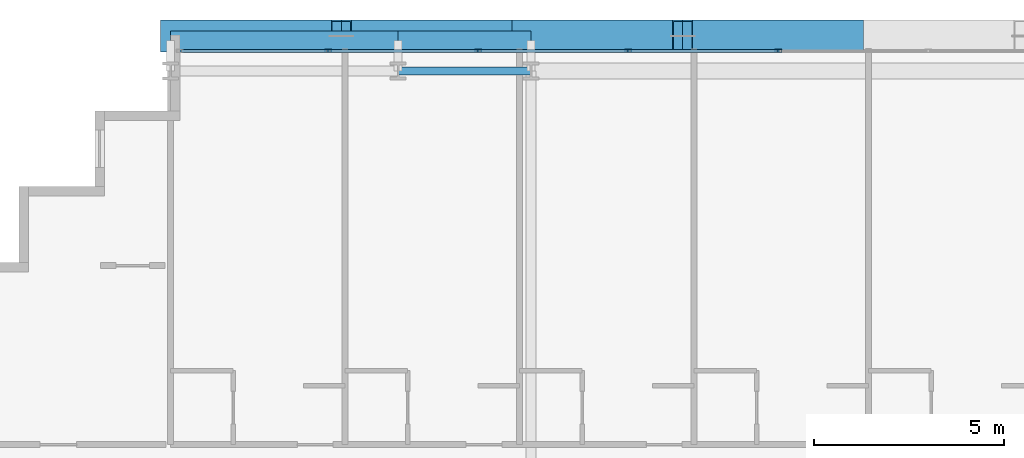
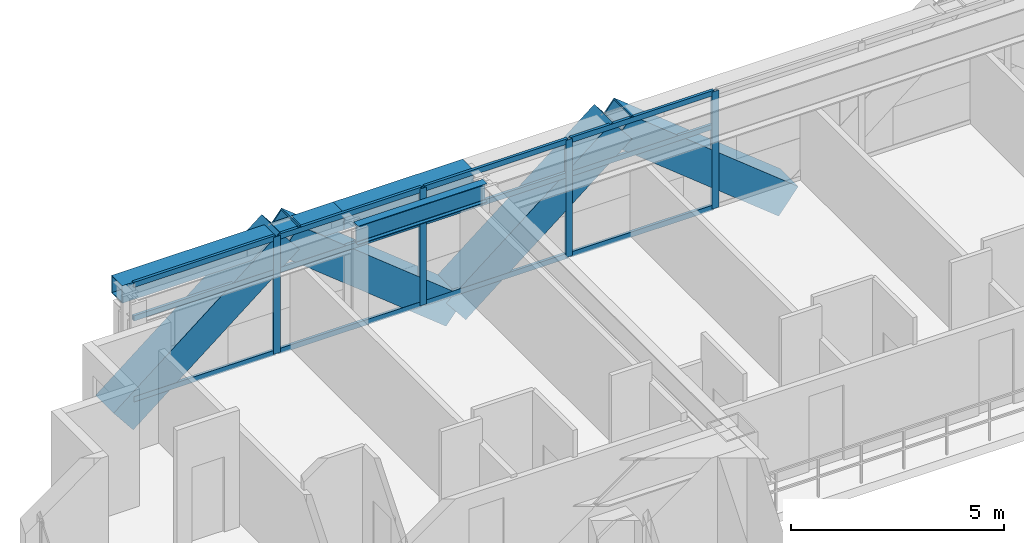
# One storey, part 18 of 36: 20 members, 3 beams, 1 element without a shape of its own.
"""IFC4 building model written with IfcOpenShell, lengths in metres."""

from ifc_helpers import new_model, si_unit, direction, frame, origin, origin_2d, place, context, subcontext, project, spatial, hollow_rectangle, i_section, extrude, source, transform, mapped, material, layer, layer_set, material_profile, profile_set, type_object, element, aggregate, save


model = new_model("IFC4")

# Units and contexts
model_context = context("Model", 3, precision=1e-05, world=origin(), true_north=direction((0.0, 1.0)))
body_context = subcontext(model_context, "Body", "Model", "MODEL_VIEW")
ifc_project = project(units=[si_unit("LENGTHUNIT", "METRE"), si_unit("AREAUNIT", "SQUARE_METRE"), si_unit("VOLUMEUNIT", "CUBIC_METRE"), si_unit("PLANEANGLEUNIT", "RADIAN"), si_unit("MASSUNIT", "GRAM", prefix="KILO")], contexts=[model_context])

# Site, building, storey
site_placement = place(None, origin())
site = spatial("IfcSite", under=ifc_project, at=site_placement, CompositionType="ELEMENT")
building_placement = place(site_placement, origin())
building = spatial("IfcBuilding", under=site, at=building_placement, Name="Ocotamira Hotel", CompositionType="ELEMENT")
storey_placement = place(building_placement, frame((0.0, 0.0, 42.0)))
storey = spatial("IfcBuildingStorey", under=building, at=storey_placement, Name="L09", CompositionType="ELEMENT", Elevation=42.0)

# Beams
ifc_material_1 = material(Name="Steel ASTM A992 Grade 50", Category="steel")
ifc_material_profile_1 = material_profile(ifc_material_1, i_section(OverallWidth=0.2099609375, OverallDepth=0.537109375, WebThickness=0.010986328125, FlangeThickness=0.017333984375, FilletRadius=0.012939453125, at=origin_2d()), Name="W21X68")
ifc_profile_set_1 = profile_set([ifc_material_profile_1], Name="Steel ASTM A992 Grade 50")
beam_type_1 = type_object("IfcBeamType", Name="BM-SEC-W21X68", PredefinedType="JOIST", material=ifc_profile_set_1)
shared_shape_1 = source(origin(), body_context, "Body", "SweptSolid", [
    extrude(i_section(OverallWidth=0.2099609375, OverallDepth=0.537109375, WebThickness=0.010986328125, FlangeThickness=0.017333984375, FilletRadius=0.012939453125, at=origin_2d()), origin(), (0.0, 0.0, 1.0), 3.5),
])
beam_1_placement = place(storey_placement, frame((20.0, 49.050048828125, 3.08154296875), z_axis=(1.0, 0.0, 0.0), x_axis=(0.0, 1.0, 0.0)))
element("IfcBeam", 1, at=beam_1_placement, inside=storey, type_object=beam_type_1, Name="L09 Girder Y49.05 X20-23.5", PredefinedType="JOIST", context=body_context, shape_type="MappedRepresentation", body=[
    mapped(shared_shape_1, transform((0.0, 0.0, 0.0), scale=1.0)),
])
ifc_material_2 = material(Name="Steel ASTM A500 Grade C", Category="steel")
ifc_material_profile_2 = material_profile(ifc_material_2, hollow_rectangle(XDim=0.5, YDim=0.5, WallThickness=0.02001953125, at=origin_2d()), Name="HSS500X500X20")
ifc_profile_set_2 = profile_set([ifc_material_profile_2], Name="Steel ASTM A500 Grade C")
beam_type_2 = type_object("IfcBeamType", Name="BM-SPAN-HSS500", PredefinedType="USERDEFINED", material=ifc_profile_set_2)
shared_shape_2 = source(origin(), body_context, "Body", "SweptSolid", [
    extrude(hollow_rectangle(XDim=0.5, YDim=0.5, WallThickness=0.02001953125, at=origin_2d()), origin(), (0.0, 0.0, 1.0), 6.0),
])
beam_2_placement = place(storey_placement, frame((14.0, 49.85009765625, 3.10009765625), z_axis=(1.0, 0.0, 0.0), x_axis=(0.0, 1.0, 0.0)))
element("IfcBeam", 2, at=beam_2_placement, inside=storey, type_object=beam_type_2, Name="L09 Edge Spandrel N X14-20", ObjectType="SPANDREL", PredefinedType="USERDEFINED", context=body_context, shape_type="MappedRepresentation", body=[
    mapped(shared_shape_2, transform((0.0, 0.0, 0.0), scale=1.0)),
])
shared_shape_3 = source(origin(), body_context, "Body", "SweptSolid", [
    extrude(hollow_rectangle(XDim=0.5, YDim=0.5, WallThickness=0.02001953125, at=origin_2d()), origin(), (0.0, 0.0, 1.0), 3.5),
])
beam_3_placement = place(storey_placement, frame((20.0, 49.85009765625, 3.10009765625), z_axis=(1.0, 0.0, 0.0), x_axis=(0.0, 1.0, 0.0)))
element("IfcBeam", 3, at=beam_3_placement, inside=storey, type_object=beam_type_2, Name="L09 Edge Spandrel N X20-23.5", ObjectType="SPANDREL", PredefinedType="USERDEFINED", context=body_context, shape_type="MappedRepresentation", body=[
    mapped(shared_shape_3, transform((0.0, 0.0, 0.0), scale=1.0)),
])

# Members
ifc_material_3 = material(Name="Pale-metal coated steel ASTM A913 Grade 65", Category="steel")
ifc_material_profile_3 = material_profile(ifc_material_3, hollow_rectangle(XDim=0.85009765625, YDim=0.85009765625, WallThickness=0.035888671875, at=origin_2d()), Name="BOX850X850X36")
ifc_profile_set_3 = profile_set([ifc_material_profile_3], Name="Pale-metal coated steel ASTM A913 Grade 65")
member_type_1 = type_object("IfcMemberType", Name="MEM-EXO-BOX850", PredefinedType="BRACE", material=ifc_profile_set_3)
shared_shape_4 = source(origin(), body_context, "Body", "SweptSolid", [
    extrude(hollow_rectangle(XDim=0.85009765625, YDim=0.85009765625, WallThickness=0.035888671875, at=origin_2d()), origin(), (0.0, 0.0, 1.0), 5.762939453125),
])
for number, where, z_axis, x_axis, name in (
    (4, (14.0, 49.969970703125, -0.5), (0.780860543151, 0.0, 0.624705380279), (0.0, 1.0, 0.0), "L09 Exoskeleton Diagrid N0.1"),
    (5, (23.0, 49.969970703125, -0.5), (-0.780860543151, 0.0, 0.624705380279), (0.0, -1.0, 0.0), "L09 Exoskeleton Diagrid N0.2"),
    (6, (23.0, 49.969970703125, -0.5), (0.780860543151, 0.0, 0.624705380279), (0.0, 1.0, 0.0), "L09 Exoskeleton Diagrid N1.1"),
    (7, (32.0, 49.969970703125, -0.5), (-0.780860543151, 0.0, 0.624705380279), (0.0, -1.0, 0.0), "L09 Exoskeleton Diagrid N1.2"),
):
    element("IfcMember", number, at=place(storey_placement, frame(where, z_axis=z_axis, x_axis=x_axis)), inside=storey, type_object=member_type_1, Name=name, PredefinedType="BRACE", context=body_context, shape_type="MappedRepresentation", body=[
        mapped(shared_shape_4, transform((0.0, 0.0, 0.0), scale=1.0)),
    ])

# Curtain wall, members
ifc_material_4 = material(Name="Anodised pale-metal aluminium and solar glass", Category="aluminium")
ifc_layer = layer(ifc_material_4, 0.179931640625)
ifc_layer_set = layer_set([ifc_layer], Name="Anodised pale-metal aluminium and solar glass")
curtain_wall_type = type_object("IfcCurtainWallType", Name="CW-SYS2-Z1", PredefinedType="NOTDEFINED", material=ifc_layer_set)
curtain_wall_placement = place(storey_placement, origin())
curtain_wall = element("IfcCurtainWall", 8, at=curtain_wall_placement, inside=storey, type_object=curtain_wall_type, Name="L09 Curtain Wall CW-2 CW-L09-N", PredefinedType="NOTDEFINED")
ifc_material_5 = material(Name="Anodised pale-metal aluminium 6063-T6", Category="aluminium")
ifc_material_profile_4 = material_profile(ifc_material_5, hollow_rectangle(XDim=0.074951171875, YDim=0.14990234375, WallThickness=0.006103515625, at=origin_2d()), Name="HSS150X75X6")
ifc_profile_set_4 = profile_set([ifc_material_profile_4], Name="Anodised pale-metal aluminium 6063-T6")
member_type_2 = type_object("IfcMemberType", Name="CWT-150X75", PredefinedType="USERDEFINED", material=ifc_profile_set_4)
shared_shape_5 = source(origin(), body_context, "Body", "SweptSolid", [
    extrude(hollow_rectangle(XDim=0.074951171875, YDim=0.14990234375, WallThickness=0.006103515625, at=origin_2d()), origin(), (0.0, 0.0, 1.0), 3.83544921875),
])
member_1_placement = place(storey_placement, frame((14.280029296875, 49.580078125, 0.03759765625), z_axis=(1.0, 0.0, 0.0), x_axis=(0.0, 1.0, 0.0)))
member_1 = element("IfcMember", 9, at=member_1_placement, type_object=member_type_2, Name="CW-2 transom 1.1", ObjectType="TRANSOM", PredefinedType="USERDEFINED", context=body_context, shape_type="MappedRepresentation", body=[
    mapped(shared_shape_5, transform((0.0, 0.0, 0.0), scale=1.0)),
])
member_2_placement = place(storey_placement, frame((14.280029296875, 49.580078125, 2.35009765625), z_axis=(1.0, 0.0, 0.0), x_axis=(0.0, 1.0, 0.0)))
member_2 = element("IfcMember", 10, at=member_2_placement, type_object=member_type_2, Name="CW-2 transom 1.2", ObjectType="TRANSOM", PredefinedType="USERDEFINED", context=body_context, shape_type="MappedRepresentation", body=[
    mapped(shared_shape_5, transform((0.0, 0.0, 0.0), scale=1.0)),
])
member_3_placement = place(storey_placement, frame((14.280029296875, 49.580078125, 3.3125), z_axis=(1.0, 0.0, 0.0), x_axis=(0.0, 1.0, 0.0)))
member_3 = element("IfcMember", 11, at=member_3_placement, type_object=member_type_2, Name="CW-2 transom 1.3", ObjectType="TRANSOM", PredefinedType="USERDEFINED", context=body_context, shape_type="MappedRepresentation", body=[
    mapped(shared_shape_5, transform((0.0, 0.0, 0.0), scale=1.0)),
])
shared_shape_6 = source(origin(), body_context, "Body", "SweptSolid", [
    extrude(hollow_rectangle(XDim=0.074951171875, YDim=0.14990234375, WallThickness=0.006103515625, at=origin_2d()), origin(), (0.0, 0.0, 1.0), 3.87548828125),
])
member_4_placement = place(storey_placement, frame((18.195556640625, 49.580078125, 0.03759765625), z_axis=(1.0, 0.0, 0.0), x_axis=(0.0, 1.0, 0.0)))
member_4 = element("IfcMember", 12, at=member_4_placement, type_object=member_type_2, Name="CW-2 transom 2.1", ObjectType="TRANSOM", PredefinedType="USERDEFINED", context=body_context, shape_type="MappedRepresentation", body=[
    mapped(shared_shape_6, transform((0.0, 0.0, 0.0), scale=1.0)),
])
member_5_placement = place(storey_placement, frame((18.195556640625, 49.580078125, 2.35009765625), z_axis=(1.0, 0.0, 0.0), x_axis=(0.0, 1.0, 0.0)))
member_5 = element("IfcMember", 13, at=member_5_placement, type_object=member_type_2, Name="CW-2 transom 2.2", ObjectType="TRANSOM", PredefinedType="USERDEFINED", context=body_context, shape_type="MappedRepresentation", body=[
    mapped(shared_shape_6, transform((0.0, 0.0, 0.0), scale=1.0)),
])
member_6_placement = place(storey_placement, frame((18.195556640625, 49.580078125, 3.3125), z_axis=(1.0, 0.0, 0.0), x_axis=(0.0, 1.0, 0.0)))
member_6 = element("IfcMember", 14, at=member_6_placement, type_object=member_type_2, Name="CW-2 transom 2.3", ObjectType="TRANSOM", PredefinedType="USERDEFINED", context=body_context, shape_type="MappedRepresentation", body=[
    mapped(shared_shape_6, transform((0.0, 0.0, 0.0), scale=1.0)),
])
member_7_placement = place(storey_placement, frame((22.151123046875, 49.580078125, 0.03759765625), z_axis=(1.0, 0.0, 0.0), x_axis=(0.0, 1.0, 0.0)))
member_7 = element("IfcMember", 15, at=member_7_placement, type_object=member_type_2, Name="CW-2 transom 3.1", ObjectType="TRANSOM", PredefinedType="USERDEFINED", context=body_context, shape_type="MappedRepresentation", body=[
    mapped(shared_shape_6, transform((0.0, 0.0, 0.0), scale=1.0)),
])
member_8_placement = place(storey_placement, frame((22.151123046875, 49.580078125, 2.35009765625), z_axis=(1.0, 0.0, 0.0), x_axis=(0.0, 1.0, 0.0)))
member_8 = element("IfcMember", 16, at=member_8_placement, type_object=member_type_2, Name="CW-2 transom 3.2", ObjectType="TRANSOM", PredefinedType="USERDEFINED", context=body_context, shape_type="MappedRepresentation", body=[
    mapped(shared_shape_6, transform((0.0, 0.0, 0.0), scale=1.0)),
])
member_9_placement = place(storey_placement, frame((22.151123046875, 49.580078125, 3.3125), z_axis=(1.0, 0.0, 0.0), x_axis=(0.0, 1.0, 0.0)))
member_9 = element("IfcMember", 17, at=member_9_placement, type_object=member_type_2, Name="CW-2 transom 3.3", ObjectType="TRANSOM", PredefinedType="USERDEFINED", context=body_context, shape_type="MappedRepresentation", body=[
    mapped(shared_shape_6, transform((0.0, 0.0, 0.0), scale=1.0)),
])
member_10_placement = place(storey_placement, frame((26.106689453125, 49.580078125, 0.03759765625), z_axis=(1.0, 0.0, 0.0), x_axis=(0.0, 1.0, 0.0)))
member_10 = element("IfcMember", 18, at=member_10_placement, type_object=member_type_2, Name="CW-2 transom 4.1", ObjectType="TRANSOM", PredefinedType="USERDEFINED", context=body_context, shape_type="MappedRepresentation", body=[
    mapped(shared_shape_6, transform((0.0, 0.0, 0.0), scale=1.0)),
])
member_11_placement = place(storey_placement, frame((26.106689453125, 49.580078125, 2.35009765625), z_axis=(1.0, 0.0, 0.0), x_axis=(0.0, 1.0, 0.0)))
member_11 = element("IfcMember", 19, at=member_11_placement, type_object=member_type_2, Name="CW-2 transom 4.2", ObjectType="TRANSOM", PredefinedType="USERDEFINED", context=body_context, shape_type="MappedRepresentation", body=[
    mapped(shared_shape_6, transform((0.0, 0.0, 0.0), scale=1.0)),
])
member_12_placement = place(storey_placement, frame((26.106689453125, 49.580078125, 3.3125), z_axis=(1.0, 0.0, 0.0), x_axis=(0.0, 1.0, 0.0)))
member_12 = element("IfcMember", 20, at=member_12_placement, type_object=member_type_2, Name="CW-2 transom 4.3", ObjectType="TRANSOM", PredefinedType="USERDEFINED", context=body_context, shape_type="MappedRepresentation", body=[
    mapped(shared_shape_6, transform((0.0, 0.0, 0.0), scale=1.0)),
])
ifc_material_profile_5 = material_profile(ifc_material_5, hollow_rectangle(XDim=0.080078125, YDim=0.179931640625, WallThickness=0.006103515625, at=origin_2d()), Name="HSS180X80X6")
ifc_profile_set_5 = profile_set([ifc_material_profile_5], Name="Anodised pale-metal aluminium 6063-T6")
member_type_3 = type_object("IfcMemberType", Name="CWM-180X75", PredefinedType="MULLION", material=ifc_profile_set_5)
shared_shape_7 = source(origin(), body_context, "Body", "SweptSolid", [
    extrude(hollow_rectangle(XDim=0.080078125, YDim=0.179931640625, WallThickness=0.006103515625, at=origin_2d()), origin(), (0.0, 0.0, 1.0), 3.35009765625),
])
member_13_placement = place(storey_placement, frame((18.155517578125, 49.580078125, 0.0), z_axis=(0.0, 0.0, 1.0), x_axis=(0.0, 1.0, 0.0)))
member_13 = element("IfcMember", 21, at=member_13_placement, type_object=member_type_3, Name="CW-2 mullion 2", PredefinedType="MULLION", context=body_context, shape_type="MappedRepresentation", body=[
    mapped(shared_shape_7, transform((0.0, 0.0, 0.0), scale=1.0)),
])
member_14_placement = place(storey_placement, frame((22.111083984375, 49.580078125, 0.0), z_axis=(0.0, 0.0, 1.0), x_axis=(0.0, 1.0, 0.0)))
member_14 = element("IfcMember", 22, at=member_14_placement, type_object=member_type_3, Name="CW-2 mullion 3", PredefinedType="MULLION", context=body_context, shape_type="MappedRepresentation", body=[
    mapped(shared_shape_7, transform((0.0, 0.0, 0.0), scale=1.0)),
])
member_15_placement = place(storey_placement, frame((26.066650390625, 49.580078125, 0.0), z_axis=(0.0, 0.0, 1.0), x_axis=(0.0, 1.0, 0.0)))
member_15 = element("IfcMember", 23, at=member_15_placement, type_object=member_type_3, Name="CW-2 mullion 4", PredefinedType="MULLION", context=body_context, shape_type="MappedRepresentation", body=[
    mapped(shared_shape_7, transform((0.0, 0.0, 0.0), scale=1.0)),
])
member_16_placement = place(storey_placement, frame((30.022216796875, 49.580078125, 0.0), z_axis=(0.0, 0.0, 1.0), x_axis=(0.0, 1.0, 0.0)))
member_16 = element("IfcMember", 24, at=member_16_placement, type_object=member_type_3, Name="CW-2 mullion 5", PredefinedType="MULLION", context=body_context, shape_type="MappedRepresentation", body=[
    mapped(shared_shape_7, transform((0.0, 0.0, 0.0), scale=1.0)),
])
aggregate(curtain_wall, [member_13, member_14, member_15, member_16, member_1, member_2, member_3, member_4, member_5, member_6, member_7, member_8, member_9, member_10, member_11, member_12])

save(model, "model.ifc")
